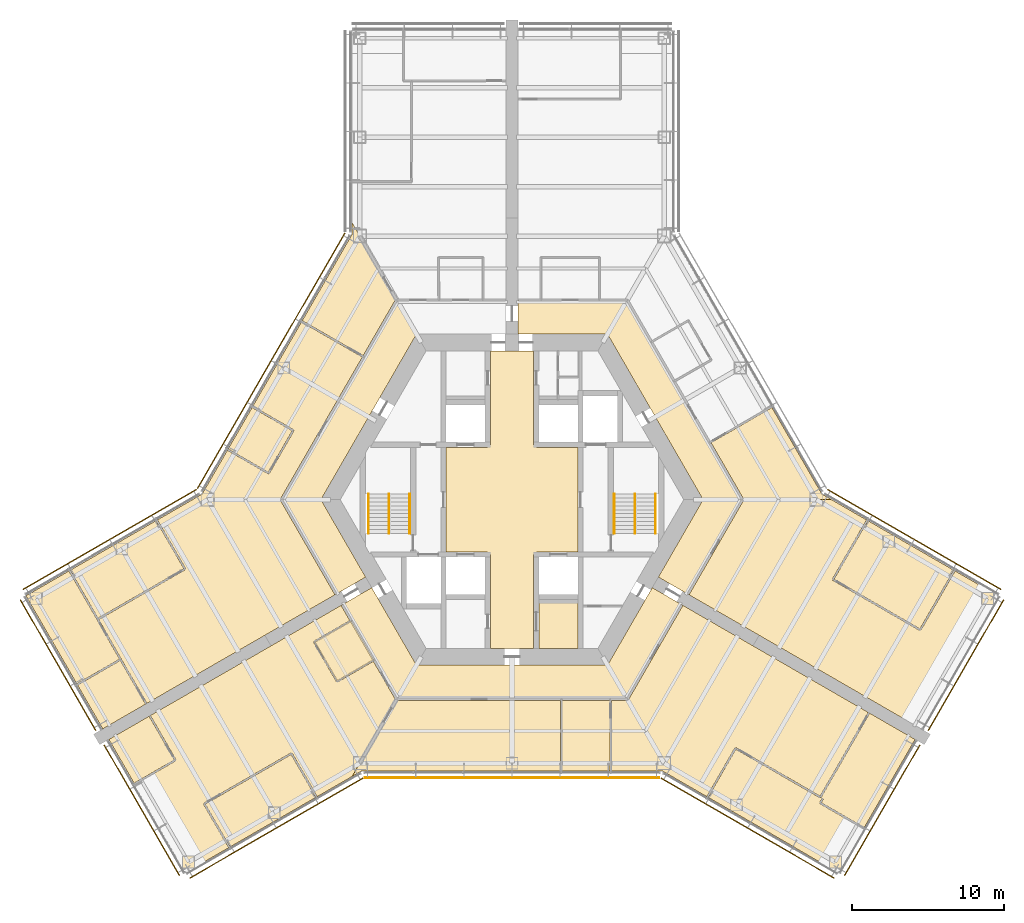
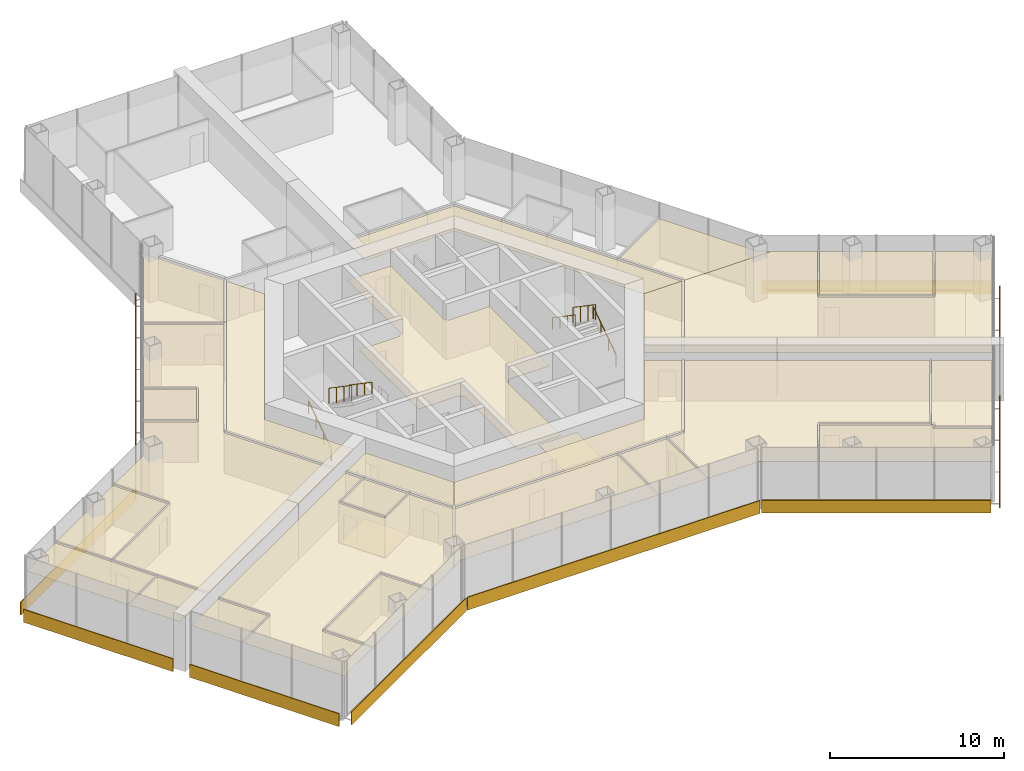
# One storey, part 17 of 18: 26 coverings, 10 shading devices, 6 railings.
"""IFC4 building model written with IfcOpenShell, lengths in metres."""

from ifc_helpers import new_model, si_unit, direction, frame, origin, origin_2d, place, context, subcontext, project, spatial, polyline, rectangle, circle, outline, extrude, material, layer, layer_set, type_object, element, save


model = new_model("IFC4")

# Units and contexts
model_context = context("Model", 3, precision=1e-05, world=origin(), true_north=direction((0.0, 1.0)))
body_context = subcontext(model_context, "Body", "Model", "MODEL_VIEW")
ifc_project = project(units=[si_unit("LENGTHUNIT", "METRE"), si_unit("AREAUNIT", "SQUARE_METRE"), si_unit("VOLUMEUNIT", "CUBIC_METRE"), si_unit("PLANEANGLEUNIT", "RADIAN"), si_unit("MASSUNIT", "GRAM", prefix="KILO")], contexts=[model_context])

# Site, building, storey
site_placement = place(None, origin())
site = spatial("IfcSite", under=ifc_project, at=site_placement, CompositionType="ELEMENT")
building_placement = place(site_placement, origin())
building = spatial("IfcBuilding", under=site, at=building_placement, Name="Kasaneha Research Tower", CompositionType="ELEMENT")
storey_placement = place(building_placement, frame((0.0, 0.0, 111.89990234375)))
storey = spatial("IfcBuildingStorey", under=building, at=storey_placement, Name="L28", CompositionType="ELEMENT", Elevation=111.89990234375)

# Covering
ifc_material_1 = material(Name="Aluminium panel ceiling", Category="aluminium")
ifc_layer_1 = layer(ifc_material_1, 0.0400390625)
ifc_layer_set_1 = layer_set([ifc_layer_1], Name="Lift lobby ceiling 40")
covering_type_1 = type_object("IfcCoveringType", Name="Lift lobby ceiling 40", PredefinedType="CEILING", material=ifc_layer_set_1)
covering_1_placement = place(storey_placement, frame((0.0, 0.0, 2.7001953125)))
element("IfcCovering", 1, at=covering_1_placement, inside=storey, type_object=covering_type_1, Name="Ceiling L28-01", PredefinedType="CEILING", context=body_context, shape_type="SweptSolid", body=[
    extrude(outline(polyline([(1.425048828125, 9.77490234375), (1.425048828125, 3.60009765625), (1.60009765625, 3.60009765625), (1.60009765625, 3.425048828125), (4.324951171875, 3.425048828125), (4.324951171875, -3.425048828125), (1.60009765625, -3.425048828125), (1.60009765625, -3.60009765625), (1.425048828125, -3.60009765625), (1.425048828125, -9.77490234375), (-1.425048828125, -9.77490234375), (-1.425048828125, -3.60009765625), (-1.60009765625, -3.60009765625), (-1.60009765625, -3.425048828125), (-4.324951171875, -3.425048828125), (-4.324951171875, 3.425048828125), (-1.60009765625, 3.425048828125), (-1.60009765625, 3.60009765625), (-1.425048828125, 3.60009765625), (-1.425048828125, 9.77490234375), (1.425048828125, 9.77490234375)])), origin(), (0.0, 0.0, 1.0), 0.039794921875),
])

# Railings
ifc_material_2 = material(Name="Steel", Category="steel")
railing_type_1 = type_object("IfcRailingType", Name="Stair balustrade 1100", PredefinedType="GUARDRAIL", material=ifc_material_2)
for number, where, name in (
    (2, (8.074951171875, 0.375, 2.12744140625), "Stair 1 balustrade L28"),
    (3, (-8.074951171875, 0.375, 2.12744140625), "Stair 2 balustrade L28"),
):
    element("IfcRailing", number, at=place(storey_placement, frame(where)), inside=storey, type_object=railing_type_1, Name=name, PredefinedType="GUARDRAIL", context=body_context, shape_type="SweptSolid", body=[
        extrude(circle(Radius=0.02392578125, at=origin_2d()), frame((0.0, 0.0, 1.076171875), z_axis=(0.0, -0.826240473404, 0.563317565952), x_axis=(1.0, 0.0, 0.0)), (0.0, 0.0, 1.0), 3.14697265625),
        extrude(circle(Radius=0.02099609375, at=origin_2d()), origin(), (0.0, 0.0, 1.0), 1.052001953125),
        extrude(circle(Radius=0.02099609375, at=origin_2d()), frame((0.0, -0.86669921875, 0.5908203125)), (0.0, 0.0, 1.0), 1.052001953125),
        extrude(circle(Radius=0.02099609375, at=origin_2d()), frame((0.0, -1.7333984375, 1.181884765625)), (0.0, 0.0, 1.0), 1.052001953125),
        extrude(circle(Radius=0.02099609375, at=origin_2d()), frame((0.0, -2.60009765625, 1.772705078125)), (0.0, 0.0, 1.0), 1.052001953125),
    ])
ifc_material_3 = material(Name="Steel", Category="steel")
railing_type_2 = type_object("IfcRailingType", Name="Stair handrail 850", PredefinedType="HANDRAIL", material=ifc_material_3)
railing_1_placement = place(storey_placement, frame((9.425048828125, -2.22509765625, 0.177490234375)))
element("IfcRailing", 4, at=railing_1_placement, inside=storey, type_object=railing_type_2, Name="Stair 1 handrail L28", PredefinedType="HANDRAIL", context=body_context, shape_type="SweptSolid", body=[
    extrude(circle(Radius=0.02392578125, at=origin_2d()), frame((0.0, 0.0, 0.826171875), z_axis=(0.0, 0.826240473404, 0.563317565952), x_axis=(-1.0, 0.0, 0.0)), (0.0, 0.0, 1.0), 3.14697265625),
    extrude(circle(Radius=0.02099609375, at=origin_2d()), origin(), (0.0, 0.0, 1.0), 0.802001953125),
    extrude(circle(Radius=0.02099609375, at=origin_2d()), frame((0.0, 0.86669921875, 0.5908203125)), (0.0, 0.0, 1.0), 0.802001953125),
    extrude(circle(Radius=0.02099609375, at=origin_2d()), frame((0.0, 1.7333984375, 1.181884765625)), (0.0, 0.0, 1.0), 0.802001953125),
    extrude(circle(Radius=0.02099609375, at=origin_2d()), frame((0.0, 2.60009765625, 1.772705078125)), (0.0, 0.0, 1.0), 0.802001953125),
])
railing_2_placement = place(storey_placement, frame((6.72509765625, 0.375, 2.12744140625)))
element("IfcRailing", 5, at=railing_2_placement, inside=storey, type_object=railing_type_2, Name="Stair 1 handrail L28", PredefinedType="HANDRAIL", context=body_context, shape_type="SweptSolid", body=[
    extrude(circle(Radius=0.02392578125, at=origin_2d()), frame((0.0, 0.0, 0.826171875), z_axis=(0.0, -0.826240473404, 0.563317565952), x_axis=(1.0, 0.0, 0.0)), (0.0, 0.0, 1.0), 3.14697265625),
    extrude(circle(Radius=0.02099609375, at=origin_2d()), origin(), (0.0, 0.0, 1.0), 0.802001953125),
    extrude(circle(Radius=0.02099609375, at=origin_2d()), frame((0.0, -0.86669921875, 0.5908203125)), (0.0, 0.0, 1.0), 0.802001953125),
    extrude(circle(Radius=0.02099609375, at=origin_2d()), frame((0.0, -1.7333984375, 1.181884765625)), (0.0, 0.0, 1.0), 0.802001953125),
    extrude(circle(Radius=0.02099609375, at=origin_2d()), frame((0.0, -2.60009765625, 1.772705078125)), (0.0, 0.0, 1.0), 0.802001953125),
])
railing_3_placement = place(storey_placement, frame((-9.425048828125, -2.22509765625, 0.177490234375)))
element("IfcRailing", 6, at=railing_3_placement, inside=storey, type_object=railing_type_2, Name="Stair 2 handrail L28", PredefinedType="HANDRAIL", context=body_context, shape_type="SweptSolid", body=[
    extrude(circle(Radius=0.02392578125, at=origin_2d()), frame((0.0, 0.0, 0.826171875), z_axis=(0.0, 0.826240473404, 0.563317565952), x_axis=(-1.0, 0.0, 0.0)), (0.0, 0.0, 1.0), 3.14697265625),
    extrude(circle(Radius=0.02099609375, at=origin_2d()), origin(), (0.0, 0.0, 1.0), 0.802001953125),
    extrude(circle(Radius=0.02099609375, at=origin_2d()), frame((0.0, 0.86669921875, 0.5908203125)), (0.0, 0.0, 1.0), 0.802001953125),
    extrude(circle(Radius=0.02099609375, at=origin_2d()), frame((0.0, 1.7333984375, 1.181884765625)), (0.0, 0.0, 1.0), 0.802001953125),
    extrude(circle(Radius=0.02099609375, at=origin_2d()), frame((0.0, 2.60009765625, 1.772705078125)), (0.0, 0.0, 1.0), 0.802001953125),
])
railing_4_placement = place(storey_placement, frame((-6.72509765625, 0.375, 2.12744140625)))
element("IfcRailing", 7, at=railing_4_placement, inside=storey, type_object=railing_type_2, Name="Stair 2 handrail L28", PredefinedType="HANDRAIL", context=body_context, shape_type="SweptSolid", body=[
    extrude(circle(Radius=0.02392578125, at=origin_2d()), frame((0.0, 0.0, 0.826171875), z_axis=(0.0, -0.826240473404, 0.563317565952), x_axis=(1.0, 0.0, 0.0)), (0.0, 0.0, 1.0), 3.14697265625),
    extrude(circle(Radius=0.02099609375, at=origin_2d()), origin(), (0.0, 0.0, 1.0), 0.802001953125),
    extrude(circle(Radius=0.02099609375, at=origin_2d()), frame((0.0, -0.86669921875, 0.5908203125)), (0.0, 0.0, 1.0), 0.802001953125),
    extrude(circle(Radius=0.02099609375, at=origin_2d()), frame((0.0, -1.7333984375, 1.181884765625)), (0.0, 0.0, 1.0), 0.802001953125),
    extrude(circle(Radius=0.02099609375, at=origin_2d()), frame((0.0, -2.60009765625, 1.772705078125)), (0.0, 0.0, 1.0), 0.802001953125),
])

# Coverings
ifc_material_4 = material(Name="Gypsum ceiling board", Category="gypsum")
ifc_layer_2 = layer(ifc_material_4, 0.02001953125)
ifc_layer_set_2 = layer_set([ifc_layer_2], Name="Suspended ceiling 20")
covering_type_2 = type_object("IfcCoveringType", Name="Suspended ceiling 20", PredefinedType="CEILING", material=ifc_layer_set_2)
covering_2_placement = place(storey_placement, frame((0.0, 0.0, 2.800048828125)))
element("IfcCovering", 8, at=covering_2_placement, inside=storey, type_object=covering_type_2, Name="Ceiling L28-25", PredefinedType="CEILING", context=body_context, shape_type="SweptSolid", body=[
    extrude(outline(polyline([(6.278564453125, 10.875), (0.39990234375, 10.875), (0.39990234375, 11.72509765625), (0.39990234375, 12.72509765625), (0.39990234375, 13.125), (0.419921875, 13.125), (0.419921875, 13.050048828125), (1.89501953125, 13.050048828125), (1.904541015625, 13.050048828125), (5.75244140625, 13.050048828125), (5.761962890625, 13.050048828125), (7.534423828125, 13.050048828125), (9.103759765625, 10.33154296875), (9.103759765625, 10.33154296875), (10.599365234375, 7.7412109375), (10.599365234375, 7.7412109375), (12.927001953125, 3.709716796875), (12.927001953125, 3.709716796875), (15.06884765625, 0.0), (15.06884765625, 0.0), (12.557373046875, 0.0), (6.278564453125, 10.875)])), origin(), (0.0, 0.0, 1.0), 0.02001953125),
])
covering_3_placement = place(storey_placement, frame((0.0, 0.0, 2.800048828125)))
element("IfcCovering", 9, at=covering_3_placement, inside=storey, type_object=covering_type_2, Name="Ceiling L28-28", PredefinedType="CEILING", context=body_context, shape_type="SweptSolid", body=[
    extrude(outline(polyline([(21.000244140625, -0.00048828125), (15.15576171875, -0.00048828125), (15.14404296875, 0.02001953125), (15.208740234375, 0.0576171875), (13.08203125, 3.741455078125), (17.081298828125, 6.055419921875), (20.366455078125, 0.366455078125), (21.000244140625, -0.00048828125)])), origin(), (0.0, 0.0, 1.0), 0.02001953125),
])
covering_4_placement = place(storey_placement, frame((0.0, 0.0, 2.800048828125)))
element("IfcCovering", 10, at=covering_4_placement, inside=storey, type_object=covering_type_2, Name="Ceiling L28-36", PredefinedType="CEILING", context=body_context, shape_type="SweptSolid", body=[
    extrude(outline(polyline([(-12.557373046875, 0.0), (-9.617919921875, -5.091064453125), (-11.566650390625, -6.216064453125), (-11.57666015625, -6.19873046875), (-11.51171875, -6.161376953125), (-15.06884765625, 0.0), (-9.67626953125, 9.34033203125), (-9.67626953125, 9.34033203125), (-7.534423828125, 13.050048828125), (-7.534423828125, 13.050048828125), (-6.278564453125, 10.875), (-12.557373046875, 0.0)])), origin(), (0.0, 0.0, 1.0), 0.02001953125),
])
covering_5_placement = place(storey_placement, frame((0.0, 0.0, 2.800048828125)))
element("IfcCovering", 11, at=covering_5_placement, inside=storey, type_object=covering_type_2, Name="Ceiling L28-37", PredefinedType="CEILING", context=body_context, shape_type="SweptSolid", body=[
    extrude(outline(polyline([(-10.499755859375, 18.18701171875), (-7.577392578125, 13.12548828125), (-7.58935546875, 13.10498046875), (-7.654296875, 13.142578125), (-9.78125, 9.45849609375), (-13.767578125, 11.755126953125), (-13.79248046875, 11.711669921875), (-13.809814453125, 11.7216796875), (-10.50048828125, 17.45458984375), (-10.499755859375, 18.18701171875)])), origin(), (0.0, 0.0, 1.0), 0.02001953125),
])
covering_6_placement = place(storey_placement, frame((0.0, 0.0, 2.800048828125)))
element("IfcCovering", 12, at=covering_6_placement, inside=storey, type_object=covering_type_2, Name="Ceiling L28-38", PredefinedType="CEILING", context=body_context, shape_type="SweptSolid", body=[
    extrude(outline(polyline([(-23.34228515625, -1.352294921875), (-23.332275390625, -1.36962890625), (-23.37548828125, -1.39453125), (-21.560546875, -4.538330078125), (-27.203857421875, -7.7919921875), (-29.03173828125, -4.63720703125), (-23.34228515625, -1.352294921875)])), origin(), (0.0, 0.0, 1.0), 0.02001953125),
])
covering_7_placement = place(storey_placement, frame((0.0, 0.0, 2.800048828125)))
element("IfcCovering", 13, at=covering_7_placement, inside=storey, type_object=covering_type_2, Name="Ceiling L28-39", PredefinedType="CEILING", context=body_context, shape_type="SweptSolid", body=[
    extrude(outline(polyline([(-29.075439453125, -4.661865234375), (-29.0751953125, -4.662109375), (-29.1181640625, -4.687255859375), (-27.265625, -7.885009765625), (-27.27001953125, -7.887451171875), (-25.790771484375, -10.477783203125), (-28.599609375, -12.10498046875), (-31.94189453125, -6.31689453125), (-29.075439453125, -4.661865234375)])), origin(), (0.0, 0.0, 1.0), 0.02001953125),
])
covering_8_placement = place(storey_placement, frame((0.0, 0.0, 2.800048828125)))
element("IfcCovering", 14, at=covering_8_placement, inside=storey, type_object=covering_type_2, Name="Ceiling L28-40", PredefinedType="CEILING", context=body_context, shape_type="SweptSolid", body=[
    extrude(outline(polyline([(-24.033447265625, -13.413818359375), (-26.891357421875, -15.063720703125), (-28.57177734375, -12.153076171875), (-28.549560546875, -12.19140625), (-25.7412109375, -10.564453125), (-24.086669921875, -13.421630859375), (-24.04345703125, -13.396484375), (-24.033447265625, -13.413818359375)])), origin(), (0.0, 0.0, 1.0), 0.02001953125),
])
covering_9_placement = place(storey_placement, frame((0.0, 0.0, 2.800048828125)))
element("IfcCovering", 15, at=covering_9_placement, inside=storey, type_object=covering_type_2, Name="Ceiling L28-41", PredefinedType="CEILING", context=body_context, shape_type="SweptSolid", body=[
    extrude(outline(polyline([(-17.05615234375, 6.098876953125), (-17.05615234375, 6.098876953125), (-17.081298828125, 6.055419921875), (-14.439697265625, 4.530517578125), (-16.012939453125, 1.8056640625), (-18.63720703125, 3.320556640625), (-18.662109375, 3.27734375), (-18.679443359375, 3.287353515625), (-17.05615234375, 6.098876953125)])), origin(), (0.0, 0.0, 1.0), 0.02001953125),
])
covering_10_placement = place(storey_placement, frame((0.0, 0.0, 2.800048828125)))
element("IfcCovering", 16, at=covering_10_placement, inside=storey, type_object=covering_type_2, Name="Ceiling L28-42", PredefinedType="CEILING", context=body_context, shape_type="SweptSolid", body=[
    extrude(outline(polyline([(-21.49169921875, -4.556640625), (-21.491943359375, -4.556396484375), (-21.448974609375, -4.531494140625), (-23.288818359375, -1.344482421875), (-23.331787109375, -1.369384765625), (-23.341796875, -1.35205078125), (-20.365966796875, 0.365966796875), (-18.6796875, 3.286865234375), (-18.662353515625, 3.27685546875), (-18.68701171875, 3.23388671875), (-16.019775390625, 1.694091796875), (-15.994873046875, 1.737060546875), (-15.994384765625, 1.73681640625), (-15.994384765625, 1.737060546875), (-15.951416015625, 1.71240234375), (-14.328125, 4.523681640625), (-14.37158203125, 4.548828125), (-14.346435546875, 4.592041015625), (-17.03125, 6.14208984375), (-17.055908203125, 6.09912109375), (-17.055908203125, 6.09912109375), (-13.81005859375, 11.72119140625), (-13.792724609375, 11.711181640625), (-13.8173828125, 11.66845703125), (-9.8310546875, 9.371826171875), (-15.220458984375, 0.03759765625), (-15.15576171875, 0.000244140625), (-15.156005859375, 0.0), (-15.15576171875, -0.000244140625), (-15.220458984375, -0.03759765625), (-11.6416015625, -6.236328125), (-11.576904296875, -6.198974609375), (-11.567138671875, -6.21630859375), (-24.032958984375, -13.41357421875), (-24.04296875, -13.396240234375), (-24.000244140625, -13.371337890625), (-25.677001953125, -10.475830078125), (-25.677001953125, -10.475830078125), (-27.158447265625, -7.881103515625), (-21.46728515625, -4.599853515625), (-21.491943359375, -4.556884765625), (-21.49169921875, -4.556640625)])), origin(), (0.0, 0.0, 1.0), 0.02001953125),
])
covering_11_placement = place(storey_placement, frame((0.0, 0.0, 2.800048828125)))
element("IfcCovering", 17, at=covering_11_placement, inside=storey, type_object=covering_type_2, Name="Ceiling L28-43", PredefinedType="CEILING", context=body_context, shape_type="SweptSolid", body=[
    extrude(outline(polyline([(-9.218017578125, -5.783935546875), (-6.278564453125, -10.875), (-7.534423828125, -13.050048828125), (-7.534423828125, -13.050048828125), (-9.00390625, -10.5048828125), (-9.00390625, -10.5048828125), (-10.49951171875, -7.91455078125), (-10.499267578125, -7.91455078125), (-11.091552734375, -6.888671875), (-11.156494140625, -6.92626953125), (-11.16650390625, -6.908935546875), (-10.85693359375, -6.72998046875), (-9.218017578125, -5.783935546875)])), origin(), (0.0, 0.0, 1.0), 0.02001953125),
])
covering_12_placement = place(storey_placement, frame((0.0, 0.0, 2.800048828125)))
element("IfcCovering", 18, at=covering_12_placement, inside=storey, type_object=covering_type_2, Name="Ceiling L28-44", PredefinedType="CEILING", context=body_context, shape_type="SweptSolid", body=[
    extrude(outline(polyline([(-10.604248046875, -8.03271484375), (-9.15869140625, -10.53662109375), (-11.47314453125, -11.8779296875), (-12.923095703125, -9.366455078125), (-10.604248046875, -8.03271484375)])), origin(), (0.0, 0.0, 1.0), 0.02001953125),
])
covering_13_placement = place(storey_placement, frame((0.0, 0.0, 2.800048828125)))
element("IfcCovering", 19, at=covering_13_placement, inside=storey, type_object=covering_type_2, Name="Ceiling L28-45", PredefinedType="CEILING", context=body_context, shape_type="SweptSolid", body=[
    extrude(outline(polyline([(-18.574951171875, -22.8486328125), (-18.5849609375, -22.831298828125), (-18.541748046875, -22.806396484375), (-20.15673828125, -20.009033203125), (-14.510498046875, -16.749267578125), (-12.885498046875, -19.563720703125), (-12.84228515625, -19.538818359375), (-12.84228515625, -19.538818359375), (-18.574951171875, -22.8486328125)])), origin(), (0.0, 0.0, 1.0), 0.02001953125),
])
covering_14_placement = place(storey_placement, frame((0.0, 0.0, 2.800048828125)))
element("IfcCovering", 20, at=covering_14_placement, inside=storey, type_object=covering_type_2, Name="Ceiling L28-46", PredefinedType="CEILING", context=body_context, shape_type="SweptSolid", body=[
    extrude(outline(polyline([(-23.806640625, -14.20654296875), (-23.796630859375, -14.223876953125), (-23.840087890625, -14.2490234375), (-22.191650390625, -17.10400390625), (-24.8330078125, -18.62890625), (-24.80810546875, -18.67236328125), (-24.80810546875, -18.67236328125), (-26.491455078125, -15.756591796875), (-23.806640625, -14.20654296875)])), origin(), (0.0, 0.0, 1.0), 0.02001953125),
])
covering_15_placement = place(storey_placement, frame((0.0, 0.0, 2.800048828125)))
element("IfcCovering", 21, at=covering_15_placement, inside=storey, type_object=covering_type_2, Name="Ceiling L28-47", PredefinedType="CEILING", context=body_context, shape_type="SweptSolid", body=[
    extrude(outline(polyline([(-12.991943359375, -9.34814453125), (-12.991943359375, -9.348388671875), (-13.034912109375, -9.373046875), (-11.534912109375, -11.97119140625), (-11.491943359375, -11.946533203125), (-11.491943359375, -11.946533203125), (-11.491455078125, -11.9462890625), (-11.46630859375, -11.989501953125), (-9.108642578125, -10.623291015625), (-7.654296875, -13.142578125), (-7.589599609375, -13.105224609375), (-7.577880859375, -13.12548828125), (-10.5, -18.1865234375), (-12.841796875, -19.53857421875), (-12.841796875, -19.53857421875), (-12.798828125, -19.513916015625), (-14.448974609375, -16.656005859375), (-14.4921875, -16.680908203125), (-14.51708984375, -16.6376953125), (-20.25, -19.947509765625), (-20.225341796875, -19.990234375), (-20.225341796875, -19.990478515625), (-20.22509765625, -19.99072265625), (-20.268310546875, -20.015625), (-18.62841796875, -22.856201171875), (-18.58544921875, -22.83154296875), (-18.575439453125, -22.848876953125), (-21.44140625, -24.50341796875), (-24.782958984375, -18.715576171875), (-22.098388671875, -17.16552734375), (-22.123046875, -17.12255859375), (-22.122802734375, -17.122314453125), (-22.123046875, -17.1220703125), (-22.080078125, -17.097412109375), (-23.75341796875, -14.198974609375), (-23.796142578125, -14.2236328125), (-23.80615234375, -14.206298828125), (-17.468505859375, -10.54736328125), (-11.1669921875, -6.9091796875), (-11.156982421875, -6.926513671875), (-11.221435546875, -6.963623046875), (-10.654296875, -7.946044921875), (-13.016357421875, -9.3046875), (-12.99169921875, -9.347900390625), (-12.991943359375, -9.34814453125)])), origin(), (0.0, 0.0, 1.0), 0.02001953125),
])
covering_16_placement = place(storey_placement, frame((0.0, 0.0, 2.800048828125)))
element("IfcCovering", 22, at=covering_16_placement, inside=storey, type_object=covering_type_2, Name="Ceiling L28-48", PredefinedType="CEILING", context=body_context, shape_type="SweptSolid", body=[
    extrude(outline(polyline([(15.06884765625, 0.0), (11.51171875, -6.161376953125), (11.57666015625, -6.19873046875), (11.566650390625, -6.216064453125), (9.617919921875, -5.091064453125), (12.557373046875, 0.0), (15.06884765625, 0.0)])), origin(), (0.0, 0.0, 1.0), 0.02001953125),
])
covering_17_placement = place(storey_placement, frame((0.0, 0.0, 2.800048828125)))
element("IfcCovering", 23, at=covering_17_placement, inside=storey, type_object=covering_type_2, Name="Ceiling L28-49", PredefinedType="CEILING", context=body_context, shape_type="SweptSolid", body=[
    extrude(outline(polyline([(29.03173828125, -4.63720703125), (26.806640625, -8.490966796875), (21.160400390625, -5.231201171875), (23.37548828125, -1.39453125), (23.332275390625, -1.36962890625), (23.34228515625, -1.352294921875), (29.03173828125, -4.63720703125)])), origin(), (0.0, 0.0, 1.0), 0.02001953125),
])
covering_18_placement = place(storey_placement, frame((0.0, 0.0, 2.800048828125)))
element("IfcCovering", 24, at=covering_18_placement, inside=storey, type_object=covering_type_2, Name="Ceiling L28-50", PredefinedType="CEILING", context=body_context, shape_type="SweptSolid", body=[
    extrude(outline(polyline([(21.0, 0.0), (23.341796875, -1.35205078125), (23.331787109375, -1.369384765625), (23.288818359375, -1.344482421875), (21.048828125, -5.224365234375), (21.09228515625, -5.24951171875), (21.067138671875, -5.292724609375), (26.800048828125, -8.6025390625), (26.82470703125, -8.5595703125), (26.824951171875, -8.5595703125), (26.8251953125, -8.559326171875), (26.868408203125, -8.584228515625), (29.118408203125, -4.68701171875), (31.94140625, -6.31689453125), (26.891357421875, -15.063720703125), (11.567138671875, -6.21630859375), (11.576904296875, -6.198974609375), (11.6416015625, -6.236328125), (15.208740234375, -0.0576171875), (15.144287109375, -0.020263671875), (15.156005859375, 0.0), (21.0, 0.0)])), origin(), (0.0, 0.0, 1.0), 0.02001953125),
])
covering_19_placement = place(storey_placement, frame((0.0, 0.0, 2.800048828125)))
element("IfcCovering", 25, at=covering_19_placement, inside=storey, type_object=covering_type_2, Name="Ceiling L28-51", PredefinedType="CEILING", context=body_context, shape_type="SweptSolid", body=[
    extrude(outline(polyline([(-6.278564453125, -10.875), (6.278564453125, -10.875), (9.218017578125, -5.783935546875), (10.85693359375, -6.72998046875), (11.16650390625, -6.908935546875), (11.156494140625, -6.92626953125), (11.091552734375, -6.888671875), (7.534423828125, -13.050048828125), (6.497802734375, -13.050048828125), (6.48828125, -13.050048828125), (3.2509765625, -13.050048828125), (3.241455078125, -13.050048828125), (-7.534423828125, -13.050048828125), (-6.278564453125, -10.875)])), origin(), (0.0, 0.0, 1.0), 0.02001953125),
])
covering_20_placement = place(storey_placement, frame((0.0, 0.0, 2.800048828125)))
element("IfcCovering", 26, at=covering_20_placement, inside=storey, type_object=covering_type_2, Name="Ceiling L28-52", PredefinedType="CEILING", context=body_context, shape_type="SweptSolid", body=[
    extrude(outline(polyline([(3.246337890625, -17.800537109375), (3.29638671875, -17.800537109375), (3.30078125, -13.199951171875), (6.4384765625, -13.199951171875), (6.44287109375, -17.800537109375), (6.492919921875, -17.800537109375), (6.492919921875, -17.820556640625), (3.246337890625, -17.820556640625), (3.246337890625, -17.800537109375)])), origin(), (0.0, 0.0, 1.0), 0.02001953125),
])
covering_21_placement = place(storey_placement, frame((0.0, 0.0, 2.800048828125)))
element("IfcCovering", 27, at=covering_21_placement, inside=storey, type_object=covering_type_2, Name="Ceiling L28-53", PredefinedType="CEILING", context=body_context, shape_type="SweptSolid", body=[
    extrude(outline(polyline([(23.130859375, -21.578125), (23.135986328125, -21.58544921875), (23.134765625, -21.59423828125), (21.45166015625, -24.509521484375), (21.4443359375, -24.51513671875), (21.435302734375, -24.513916015625), (18.5693359375, -22.859375), (18.563720703125, -22.85205078125), (18.56494140625, -22.8427734375), (12.84228515625, -19.538818359375), (12.84228515625, -19.538818359375), (12.885498046875, -19.563720703125), (14.71044921875, -16.40283203125), (20.239013671875, -19.5947265625), (20.26416015625, -19.551513671875), (20.307373046875, -19.576416015625), (20.307373046875, -19.576416015625), (20.381591796875, -19.619384765625), (20.214599609375, -19.908447265625), (20.258056640625, -19.933349609375), (20.23291015625, -19.976806640625), (23.08203125, -21.62158203125), (23.107177734375, -21.578369140625), (23.12451171875, -21.58837890625), (23.130859375, -21.578125)])), origin(), (0.0, 0.0, 1.0), 0.02001953125),
])
covering_22_placement = place(storey_placement, frame((0.0, 0.0, 2.800048828125)))
element("IfcCovering", 28, at=covering_22_placement, inside=storey, type_object=covering_type_2, Name="Ceiling L28-54", PredefinedType="CEILING", context=body_context, shape_type="SweptSolid", body=[
    extrude(outline(polyline([(23.107421875, -21.577880859375), (23.132080078125, -21.534912109375), (20.326416015625, -19.9150390625), (20.46826171875, -19.669189453125), (20.381591796875, -19.619384765625), (20.381591796875, -19.619384765625), (20.307373046875, -19.576416015625), (23.49365234375, -14.049072265625), (23.4501953125, -14.02392578125), (23.460205078125, -14.006591796875), (26.491455078125, -15.756591796875), (23.124755859375, -21.587890625), (23.107421875, -21.577880859375)])), origin(), (0.0, 0.0, 1.0), 0.02001953125),
])
covering_23_placement = place(storey_placement, frame((0.0, 0.0, 2.800048828125)))
element("IfcCovering", 29, at=covering_23_placement, inside=storey, type_object=covering_type_2, Name="Ceiling L28-55", PredefinedType="CEILING", context=body_context, shape_type="SweptSolid", body=[
    extrude(outline(polyline([(7.578125, -13.125244140625), (7.578125, -13.125244140625), (7.642578125, -13.16259765625), (11.221435546875, -6.963623046875), (11.156982421875, -6.926513671875), (11.1669921875, -6.9091796875), (15.218994140625, -9.24853515625), (23.459716796875, -14.00634765625), (23.449951171875, -14.023681640625), (23.406982421875, -13.9990234375), (20.245849609375, -19.483154296875), (14.71728515625, -16.291259765625), (14.6923828125, -16.334228515625), (14.6923828125, -16.333984375), (14.692138671875, -16.33447265625), (14.64892578125, -16.3095703125), (12.798828125, -19.513916015625), (12.841796875, -19.53857421875), (12.841796875, -19.53857421875), (9.865966796875, -17.820556640625), (6.493408203125, -17.820556640625), (6.493408203125, -17.800537109375), (6.542724609375, -17.800537109375), (6.538330078125, -13.199951171875), (7.57763671875, -13.199951171875), (7.57763671875, -13.125244140625), (7.578125, -13.125244140625)])), origin(), (0.0, 0.0, 1.0), 0.02001953125),
])
covering_24_placement = place(storey_placement, frame((0.0, 0.0, 2.800048828125)))
element("IfcCovering", 30, at=covering_24_placement, inside=storey, type_object=covering_type_2, Name="Ceiling L28-56", PredefinedType="CEILING", context=body_context, shape_type="SweptSolid", body=[
    extrude(outline(polyline([(-7.577880859375, -13.12548828125), (-7.5546875, -13.12548828125), (-7.5546875, -13.199951171875), (3.200927734375, -13.199951171875), (3.1962890625, -17.800537109375), (3.245849609375, -17.800537109375), (3.245849609375, -17.820556640625), (-9.865966796875, -17.820556640625), (-10.5, -18.1865234375), (-7.577880859375, -13.12548828125)])), origin(), (0.0, 0.0, 1.0), 0.02001953125),
])

# Shading devices
ifc_material_5 = material(Name="Terracotta", Category="masonry")
ifc_layer_3 = layer(ifc_material_5, 0.06005859375)
ifc_layer_set_3 = layer_set([ifc_layer_3], Name="Terracotta baguette screen")
shading_device_type = type_object("IfcShadingDeviceType", Name="Terracotta baguette screen", PredefinedType="USERDEFINED", material=ifc_layer_set_3)
shading_device_1_placement = place(storey_placement, frame((-15.483642578125, -21.58349609375, -0.449951171875), z_axis=(0.0, 0.0, 1.0), x_axis=(0.866025411464, 0.499999986699, 0.0)))
element("IfcShadingDevice", 31, at=shading_device_1_placement, inside=storey, type_object=shading_device_type, Name="Baguette screen L28 01", ObjectType="TERRACOTTA BAGUETTE SCREEN", PredefinedType="USERDEFINED", context=body_context, shape_type="SweptSolid", body=[
    extrude(rectangle(XDim=13.13916015625, YDim=0.06005859375, at=origin_2d()), origin(), (0.0, 0.0, 1.0), 0.89990234375),
])
shading_device_2_placement = place(storey_placement, frame((0.0, -18.2705078125, -0.449951171875), z_axis=(0.0, 0.0, 1.0), x_axis=(1.0, 0.0, 0.0)))
element("IfcShadingDevice", 32, at=shading_device_2_placement, inside=storey, type_object=shading_device_type, Name="Baguette screen L28 02", ObjectType="TERRACOTTA BAGUETTE SCREEN", PredefinedType="USERDEFINED", context=body_context, shape_type="SweptSolid", body=[
    extrude(rectangle(XDim=19.37841796875, YDim=0.06005859375, at=origin_2d()), origin(), (0.0, 0.0, 1.0), 0.89990234375),
])
shading_device_3_placement = place(storey_placement, frame((15.483642578125, -21.58349609375, -0.449951171875), z_axis=(0.0, 0.0, 1.0), x_axis=(0.866025411464, -0.499999986699, 0.0)))
element("IfcShadingDevice", 33, at=shading_device_3_placement, inside=storey, type_object=shading_device_type, Name="Baguette screen L28 03", ObjectType="TERRACOTTA BAGUETTE SCREEN", PredefinedType="USERDEFINED", context=body_context, shape_type="SweptSolid", body=[
    extrude(rectangle(XDim=13.13916015625, YDim=0.06005859375, at=origin_2d()), origin(), (0.0, 0.0, 1.0), 0.89990234375),
])
for number, where, z_axis, x_axis, name in (
    (34, (24.3310546875, -20.3984375, -0.449951171875), (0.0, 0.0, 1.0), (0.500000011442, 0.866025397178, 0.0), "Baguette screen L28 04"),
    (35, (29.8310546875, -10.8720703125, -0.449951171875), (0.0, 0.0, 1.0), (0.500000011442, 0.866025397178, 0.0), "Baguette screen L28 05"),
):
    element("IfcShadingDevice", number, at=place(storey_placement, frame(where, z_axis=z_axis, x_axis=x_axis)), inside=storey, type_object=shading_device_type, Name=name, ObjectType="TERRACOTTA BAGUETTE SCREEN", PredefinedType="USERDEFINED", context=body_context, shape_type="SweptSolid", body=[
        extrude(rectangle(XDim=9.89990234375, YDim=0.06005859375, at=origin_2d()), origin(), (0.0, 0.0, 1.0), 0.89990234375),
    ])
shading_device_4_placement = place(storey_placement, frame((26.43359375, -2.617431640625, -0.449951171875), z_axis=(0.0, 0.0, 1.0), x_axis=(-0.866025411464, 0.499999986699, 0.0)))
element("IfcShadingDevice", 36, at=shading_device_4_placement, inside=storey, type_object=shading_device_type, Name="Baguette screen L28 06", ObjectType="TERRACOTTA BAGUETTE SCREEN", PredefinedType="USERDEFINED", context=body_context, shape_type="SweptSolid", body=[
    extrude(rectangle(XDim=13.13916015625, YDim=0.06005859375, at=origin_2d()), origin(), (0.0, 0.0, 1.0), 0.89990234375),
])
shading_device_5_placement = place(storey_placement, frame((-15.82275390625, 9.13525390625, -0.449951171875), z_axis=(0.0, 0.0, 1.0), x_axis=(-0.49999996188, -0.866025425793, 0.0)))
element("IfcShadingDevice", 37, at=shading_device_5_placement, inside=storey, type_object=shading_device_type, Name="Baguette screen L28 12", ObjectType="TERRACOTTA BAGUETTE SCREEN", PredefinedType="USERDEFINED", context=body_context, shape_type="SweptSolid", body=[
    extrude(rectangle(XDim=19.37841796875, YDim=0.06005859375, at=origin_2d()), origin(), (0.0, 0.0, 1.0), 0.89990234375),
])
shading_device_6_placement = place(storey_placement, frame((-26.43359375, -2.617431640625, -0.449951171875), z_axis=(0.0, 0.0, 1.0), x_axis=(-0.866025411464, -0.499999986699, 0.0)))
element("IfcShadingDevice", 38, at=shading_device_6_placement, inside=storey, type_object=shading_device_type, Name="Baguette screen L28 13", ObjectType="TERRACOTTA BAGUETTE SCREEN", PredefinedType="USERDEFINED", context=body_context, shape_type="SweptSolid", body=[
    extrude(rectangle(XDim=13.13916015625, YDim=0.06005859375, at=origin_2d()), origin(), (0.0, 0.0, 1.0), 0.89990234375),
])
for number, where, z_axis, x_axis, name in (
    (39, (-29.8310546875, -10.8720703125, -0.449951171875), (0.0, 0.0, 1.0), (0.500000011442, -0.866025397178, 0.0), "Baguette screen L28 14"),
    (40, (-24.3310546875, -20.3984375, -0.449951171875), (0.0, 0.0, 1.0), (0.500000011442, -0.866025397178, 0.0), "Baguette screen L28 15"),
):
    element("IfcShadingDevice", number, at=place(storey_placement, frame(where, z_axis=z_axis, x_axis=x_axis)), inside=storey, type_object=shading_device_type, Name=name, ObjectType="TERRACOTTA BAGUETTE SCREEN", PredefinedType="USERDEFINED", context=body_context, shape_type="SweptSolid", body=[
        extrude(rectangle(XDim=9.89990234375, YDim=0.06005859375, at=origin_2d()), origin(), (0.0, 0.0, 1.0), 0.89990234375),
    ])

# Coverings
ifc_material_6 = material(Name="Vinyl sheet flooring", Category="plastic")
ifc_layer_4 = layer(ifc_material_6, 0.0048828125)
ifc_layer_set_4 = layer_set([ifc_layer_4], Name="Wet room sheet flooring 5")
covering_type_3 = type_object("IfcCoveringType", Name="Wet room sheet flooring 5", PredefinedType="FLOORING", material=ifc_layer_set_4)
covering_25_placement = place(storey_placement, origin())
element("IfcCovering", 41, at=covering_25_placement, inside=storey, type_object=covering_type_3, Name="Floor finish L28-11", PredefinedType="FLOORING", context=body_context, shape_type="SweptSolid", body=[
    extrude(outline(polyline([(1.77490234375, -9.77490234375), (1.77490234375, -6.574951171875), (4.324951171875, -6.574951171875), (4.324951171875, -9.77490234375), (1.77490234375, -9.77490234375)])), origin(), (0.0, 0.0, 1.0), 0.005126953125),
])
covering_26_placement = place(storey_placement, origin())
element("IfcCovering", 42, at=covering_26_placement, inside=storey, type_object=covering_type_3, Name="Floor finish L28-44", PredefinedType="FLOORING", context=body_context, shape_type="SweptSolid", body=[
    extrude(outline(polyline([(-11.491455078125, -11.9462890625), (-12.991455078125, -9.34814453125), (-10.566650390625, -7.9482421875), (-9.066650390625, -10.546142578125), (-11.491455078125, -11.9462890625)])), origin(), (0.0, 0.0, 1.0), 0.005126953125),
])

save(model, "model.ifc")
